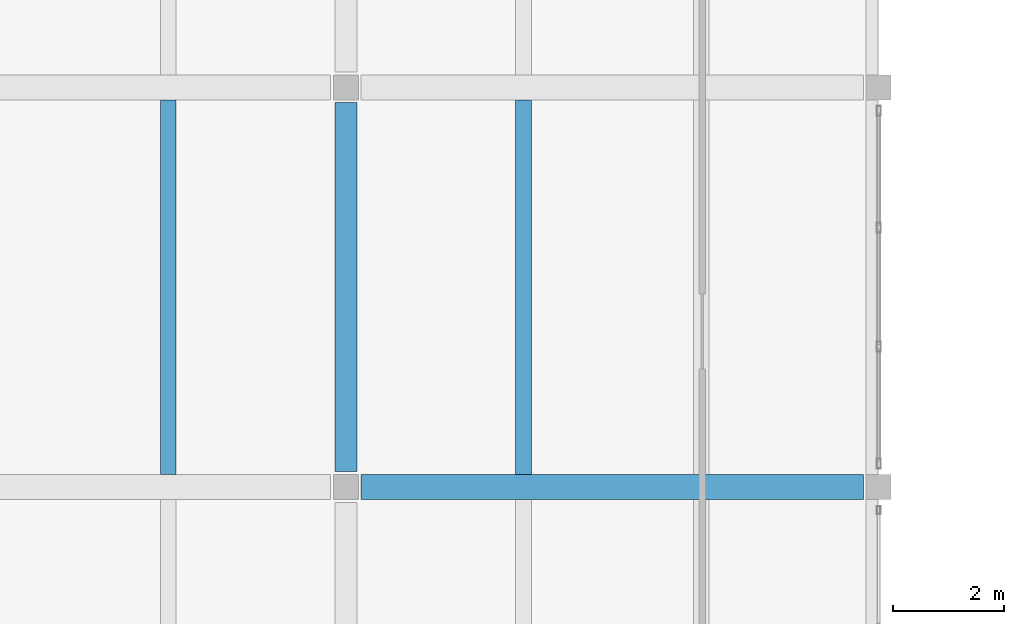
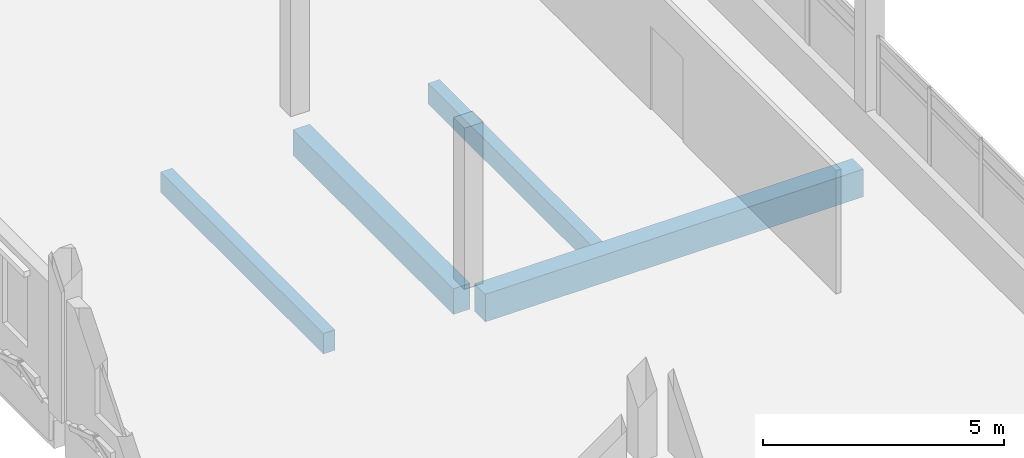
# One storey, part 5 of 50: 4 beams.
"""IFC4 building model written with IfcOpenShell, lengths in metres."""

from ifc_helpers import new_model, si_unit, direction, frame, origin, origin_2d, place, context, subcontext, project, spatial, rectangle, extrude, material, material_profile, profile_set, type_object, element, save


model = new_model("IFC4")

# Units and contexts
model_context = context("Model", 3, precision=1e-05, world=origin(), true_north=direction((0.0, 1.0)))
body_context = subcontext(model_context, "Body", "Model", "MODEL_VIEW")
ifc_project = project(units=[si_unit("LENGTHUNIT", "METRE"), si_unit("AREAUNIT", "SQUARE_METRE"), si_unit("VOLUMEUNIT", "CUBIC_METRE"), si_unit("PLANEANGLEUNIT", "RADIAN"), si_unit("MASSUNIT", "GRAM", prefix="KILO")], contexts=[model_context])

# Site, building, storey
site_placement = place(None, origin())
site = spatial("IfcSite", under=ifc_project, at=site_placement, CompositionType="ELEMENT")
building_placement = place(site_placement, origin())
building = spatial("IfcBuilding", under=site, at=building_placement, Name="Asteropetra Specialist Clinic", CompositionType="ELEMENT")
storey_placement = place(building_placement, frame((0.0, 0.0, 16.659912109375)))
storey = spatial("IfcBuildingStorey", under=building, at=storey_placement, Name="L04", CompositionType="ELEMENT", Elevation=16.659912109375)

# Beams
ifc_material_1 = material(Name="Concrete C35/45", Category="concrete")
ifc_material_profile_1 = material_profile(ifc_material_1, rectangle(XDim=0.39990234375, YDim=0.64990234375, at=origin_2d()), Name="RCB 400x650")
ifc_profile_set_1 = profile_set([ifc_material_profile_1], Name="Concrete C35/45")
beam_type_1 = type_object("IfcBeamType", Name="BM-RC400x650", PredefinedType="BEAM", material=ifc_profile_set_1)
beam_1_placement = place(storey_placement, frame((115.199951171875, 26.675048828125, -0.625), z_axis=(0.0, 1.0, 0.0), x_axis=(-1.0, 0.0, 0.0)))
element("IfcBeam", 1, at=beam_1_placement, inside=storey, type_object=beam_type_1, Name="Beam BBM07-1758", PredefinedType="BEAM", context=body_context, shape_type="SweptSolid", body=[
    extrude(rectangle(XDim=0.39990234375, YDim=0.64990234375, at=origin_2d()), origin(), (0.0, 0.0, 1.0), 6.64990234375),
])
ifc_material_2 = material(Name="Concrete C35/45", Category="concrete")
ifc_material_profile_2 = material_profile(ifc_material_2, rectangle(XDim=0.449951171875, YDim=0.699951171875, at=origin_2d()), Name="RCB 450x700")
ifc_profile_set_2 = profile_set([ifc_material_profile_2], Name="Concrete C35/45")
beam_type_2 = type_object("IfcBeamType", Name="BM-RC450x700", PredefinedType="BEAM", material=ifc_profile_set_2)
beam_2_placement = place(storey_placement, frame((115.47509765625, 26.39990234375, -0.64990234375), z_axis=(1.0, 0.0, 0.0), x_axis=(0.0, 1.0, 0.0)))
element("IfcBeam", 2, at=beam_2_placement, inside=storey, type_object=beam_type_2, Name="Beam BBM05-1716", PredefinedType="BEAM", context=body_context, shape_type="SweptSolid", body=[
    extrude(rectangle(XDim=0.449951171875, YDim=0.699951171875, at=origin_2d()), origin(), (0.0, 0.0, 1.0), 9.0498046875),
])
ifc_material_3 = material(Name="Concrete C35/45", Category="concrete")
ifc_material_profile_3 = material_profile(ifc_material_3, rectangle(XDim=0.280029296875, YDim=0.52001953125, at=origin_2d()), Name="RCJ 280x520")
ifc_profile_set_3 = profile_set([ifc_material_profile_3], Name="Concrete C35/45")
beam_type_3 = type_object("IfcBeamType", Name="JST-RC280x520", PredefinedType="JOIST", material=ifc_profile_set_3)
for number, where, z_axis, x_axis, name in (
    (3, (112.0, 26.625, -0.559814453125), (0.0, 1.0, 0.0), (-1.0, 0.0, 0.0), "Joist JJST01-1760"),
    (4, (118.39990234375, 26.625, -0.559814453125), (0.0, 1.0, 0.0), (-1.0, 0.0, 0.0), "Joist JJST01-1761"),
):
    element("IfcBeam", number, at=place(storey_placement, frame(where, z_axis=z_axis, x_axis=x_axis)), inside=storey, type_object=beam_type_3, Name=name, PredefinedType="JOIST", context=body_context, shape_type="SweptSolid", body=[
        extrude(rectangle(XDim=0.280029296875, YDim=0.52001953125, at=origin_2d()), origin(), (0.0, 0.0, 1.0), 6.75),
    ])

save(model, "model.ifc")
